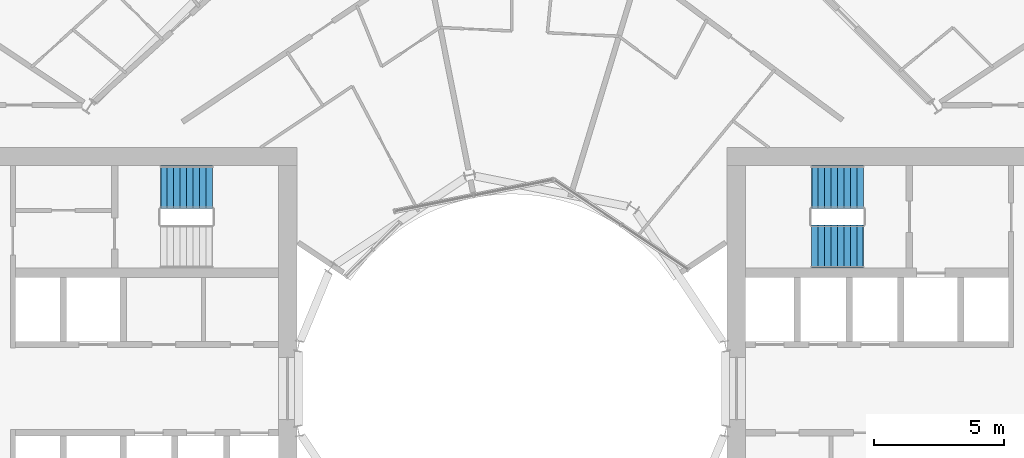
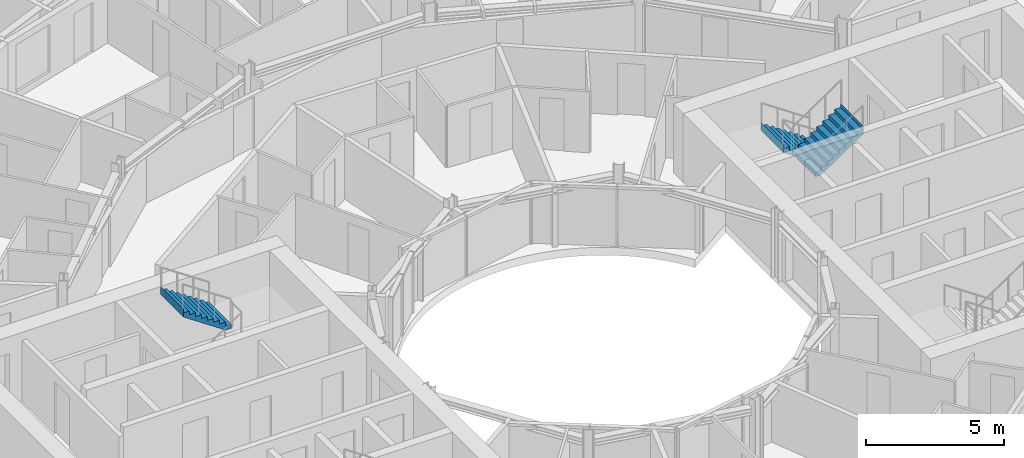
# One storey, part 25 of 26: 3 stair flights, 2 elements without a shape of their own.
"""IFC4 building model written with IfcOpenShell, lengths in metres."""

import ifcopenshell
import ifcopenshell.guid

model = None  # the IFC model being written
_history = None  # IfcOwnerHistory: only IFC2X3 demands one
_inside = {}  # id of a spatial element -> (the spatial element, [elements in it])
_under = {}  # id of a project, library or spatial element -> (it, [spatial elements below it])
_declared = {}  # id of a project -> (the project, [libraries it declares])
_typed = {}  # id of a type object -> (the type object, [elements of that type])
_made_of = {}  # id of a material, layer set ... -> (it, [elements and type objects made of it])


def new_model(schema):
    """Start an empty IFC model of exactly this schema.

    Asked for "IFC4X3", IfcOpenShell would pick the latest addendum, in which some entities
    have other attributes; the version numbers below select the first issue.
    IFC2X3 requires an IfcOwnerHistory on every rooted entity: one is made here for all.
    """
    global model, _history
    if schema == "IFC4X3":
        model = ifcopenshell.file(schema_version=(4, 3, 0, 0))
    else:
        model = ifcopenshell.file(schema=schema)
    _inside.clear()
    _under.clear()
    _declared.clear()
    _typed.clear()
    _made_of.clear()
    _history = None
    if model.schema == "IFC2X3":
        org = make("IfcOrganization", Name="unknown")
        user = make(
            "IfcPersonAndOrganization",
            ThePerson=make("IfcPerson", FamilyName="unknown"),
            TheOrganization=org,
        )
        app = make(
            "IfcApplication",
            ApplicationDeveloper=org,
            Version="unknown",
            ApplicationFullName="unknown",
            ApplicationIdentifier="unknown",
        )
        _history = make(
            "IfcOwnerHistory",
            OwningUser=user,
            OwningApplication=app,
            ChangeAction="ADDED",
            CreationDate=0,
        )
    return model


def make(cls, **values):
    """One entity of the class cls with the attributes given. An attribute that is None is left unset."""
    return model.create_entity(
        cls, **{name: value for name, value in values.items() if value is not None}
    )


def rooted(cls, **values):
    """An entity with a GlobalId (a new one), such as an element, a storey or a relation."""
    return make(cls, GlobalId=ifcopenshell.guid.new(), OwnerHistory=_history, **values)


def si_unit(unit_type, name, prefix=None):
    """IfcSIUnit, for example si_unit("LENGTHUNIT", "METRE", prefix="MILLI")."""
    return make("IfcSIUnit", UnitType=unit_type, Prefix=prefix, Name=name)


def assignment(units):
    """IfcUnitAssignment: the units of a project."""
    return None if units is None else make("IfcUnitAssignment", Units=units)


def point(xyz):
    """IfcCartesianPoint."""
    return None if xyz is None else make("IfcCartesianPoint", Coordinates=xyz)


def direction(xyz):
    """IfcDirection."""
    return None if xyz is None else make("IfcDirection", DirectionRatios=xyz)


def frame(location, z_axis=None, x_axis=None):
    """IfcAxis2Placement3D, a coordinate frame: its origin and axes. An axis left out is left unset."""
    return make(
        "IfcAxis2Placement3D",
        Location=point(location),
        Axis=direction(z_axis),
        RefDirection=direction(x_axis),
    )


def origin():
    """The frame at (0, 0, 0) with its axes left unset."""
    return frame((0.0, 0.0, 0.0))


def place(relative_to, where):
    """IfcLocalPlacement: puts the frame where relative to a parent placement (None: the world)."""
    return make(
        "IfcLocalPlacement", PlacementRelTo=relative_to, RelativePlacement=where
    )


def context(
    kind, dimensions, precision=None, world=None, true_north=None, identifier=None
):
    """IfcGeometricRepresentationContext, for example the 3D "Model" context."""
    return make(
        "IfcGeometricRepresentationContext",
        ContextIdentifier=identifier,
        ContextType=kind,
        CoordinateSpaceDimension=dimensions,
        Precision=precision,
        WorldCoordinateSystem=world,
        TrueNorth=true_north,
    )


def subcontext(parent, identifier, kind, view, scale=None):
    """IfcGeometricRepresentationSubContext, for example "Body" below "Model"."""
    return make(
        "IfcGeometricRepresentationSubContext",
        ContextIdentifier=identifier,
        ContextType=kind,
        ParentContext=parent,
        TargetScale=scale,
        TargetView=view,
    )


def project(units=None, contexts=None):
    """IfcProject with its units and contexts."""
    return rooted(
        "IfcProject",
        Name="project",
        RepresentationContexts=contexts,
        UnitsInContext=assignment(units),
    )


def spatial(cls, under=None, at=None, **own):
    """A site, building, storey or space (cls), placed at a placement, below another one or the project."""
    s = rooted(cls, ObjectPlacement=at, **own)
    if under is not None:
        _under.setdefault(under.id(), (under, []))[1].append(s)
    return s


def point_list(points):
    """IfcCartesianPointList2D or 3D."""
    cls = (
        "IfcCartesianPointList2D" if len(points[0]) == 2 else "IfcCartesianPointList3D"
    )
    return make(cls, CoordList=points)


def triangles(points, corners, closed=None, point_numbers=None):
    """IfcTriangulatedFaceSet: each triangle names its three corners, points numbered from 1."""
    return make(
        "IfcTriangulatedFaceSet",
        Coordinates=point_list(points),
        Closed=closed,
        CoordIndex=corners,
        PnIndex=point_numbers,
    )


def shape(context_of_items, identifier, shape_type, items):
    """IfcShapeRepresentation: the items that make up one representation, for example the "Body"."""
    return make(
        "IfcShapeRepresentation",
        ContextOfItems=context_of_items,
        RepresentationIdentifier=identifier,
        RepresentationType=shape_type,
        Items=items,
    )


def material(Name=None, Category=None):
    """IfcMaterial."""
    return make("IfcMaterial", Name=Name, Category=Category)


def made_of(thing, what):
    """Note that an element or type object is made of a material, layer set ...; save() writes the relation."""
    if what is not None:
        _made_of.setdefault(what.id(), (what, []))[1].append(thing)
    return thing


def type_object(cls, material=None, **own):
    """A type object (cls), such as IfcWallType, which elements share."""
    return made_of(rooted(cls, **own), material)


def element(
    cls,
    number,
    at=None,
    inside=None,
    cuts=None,
    type_object=None,
    material=None,
    context=None,
    identifier="Body",
    shape_type=None,
    held_by="IfcProductDefinitionShape",
    body=None,
    shapes=None,
    **own,
):
    """One element of the class cls, such as IfcWall. Its Tag is "e" and its number.

    at: its placement. inside: the storey or other place that contains it. cuts: it is an
    opening in that element (IfcRelVoidsElement). A single representation is given by context,
    identifier, shape_type and body (its items); several are given by shapes. held_by: the class
    of the entity that holds the representations. save() writes the other relations.
    """
    e = rooted(cls, Tag="e%d" % number, ObjectPlacement=at, **own)
    if body is not None:
        shapes = [shape(context, identifier, shape_type, body)]
    if shapes is not None:
        e.Representation = make(held_by, Representations=shapes)
    if inside is not None:
        _inside.setdefault(inside.id(), (inside, []))[1].append(e)
    if cuts is not None:
        rooted(
            "IfcRelVoidsElement", RelatingBuildingElement=cuts, RelatedOpeningElement=e
        )
    if type_object is not None:
        _typed.setdefault(type_object.id(), (type_object, []))[1].append(e)
    return made_of(e, material)


def aggregate(whole, parts):
    """IfcRelAggregates: a whole, such as a stair, and the parts it consists of."""
    return rooted("IfcRelAggregates", RelatingObject=whole, RelatedObjects=parts)


def save(model, path):
    """Write the relations noted so far, then the file.

    IfcRelAggregates (storeys below a building ...), IfcRelContainedInSpatialStructure (elements
    in a storey), IfcRelDefinesByType, IfcRelAssociatesMaterial and IfcRelDeclares: one each for
    every whole, place, type object, material and project.
    """
    for whole, parts in _under.values():
        aggregate(whole, parts)
    for where, things in _inside.values():
        rooted(
            "IfcRelContainedInSpatialStructure",
            RelatedElements=things,
            RelatingStructure=where,
        )
    for kind, things in _typed.values():
        rooted("IfcRelDefinesByType", RelatedObjects=things, RelatingType=kind)
    for what, things in _made_of.values():
        rooted("IfcRelAssociatesMaterial", RelatedObjects=things, RelatingMaterial=what)
    for by, libraries in _declared.values():
        rooted("IfcRelDeclares", RelatingContext=by, RelatedDefinitions=libraries)
    model.write(path)


model = new_model("IFC4")

# Units and contexts
model_context = context("Model", 3, precision=1e-05, world=origin(), true_north=direction((0.0, 1.0)))
body_context = subcontext(model_context, "Body", "Model", "MODEL_VIEW")
ifc_project = project(units=[si_unit("LENGTHUNIT", "METRE"), si_unit("AREAUNIT", "SQUARE_METRE"), si_unit("VOLUMEUNIT", "CUBIC_METRE"), si_unit("PLANEANGLEUNIT", "RADIAN"), si_unit("MASSUNIT", "GRAM", prefix="KILO")], contexts=[model_context])

# Site, building, storey
site_placement = place(None, origin())
site = spatial("IfcSite", under=ifc_project, at=site_placement, CompositionType="ELEMENT")
building_placement = place(site_placement, origin())
building = spatial("IfcBuilding", under=site, at=building_placement, Name="Maasbend Ring Residences", CompositionType="ELEMENT")
storey_placement = place(building_placement, frame((0.0, 0.0, 63.60009765625)))
storey = spatial("IfcBuildingStorey", under=building, at=storey_placement, Name="L17", CompositionType="ELEMENT", Elevation=63.60009765625)

# Stair, stair flights
ifc_material_1 = material(Name="Concrete C40/50", Category="concrete")
stair_type = type_object("IfcStairType", Name="CORE STAIR 18 RISERS", PredefinedType="HALF_TURN_STAIR", material=ifc_material_1)
stair_1_placement = place(storey_placement, origin())
stair_1 = element("IfcStair", 1, at=stair_1_placement, inside=storey, type_object=stair_type, Name="L17 Exit stair ST-E1", PredefinedType="HALF_TURN_STAIR")
ifc_material_2 = material(Name="Concrete C40/50", Category="concrete")
stair_flight_type = type_object("IfcStairFlightType", Name="CORE STAIR FLIGHT 1650", PredefinedType="STRAIGHT", material=ifc_material_2)
stair_flight_1_placement = place(storey_placement, frame((13.550048828125, 7.77490234375, 0.0), z_axis=(0.0, 0.0, 1.0), x_axis=(-1.0, 0.0, 0.0)))
stair_flight_1 = element("IfcStairFlight", 2, at=stair_flight_1_placement, type_object=stair_flight_type, Name="ST-E1 flight 1", NumberOfRisers=9, NumberOfTreads=8, PredefinedType="STRAIGHT", RiserHeight=0.169444444, TreadLength=0.25, context=body_context, shape_type="Tessellation", body=[
    triangles([(0.24072265625, 0.824951171875, -0.02001953125), (2.0029296875, 0.824951171875, 1.174560546875), (2.0029296875, 0.824951171875, 1.52490234375), (1.989990234375, 0.824951171875, 1.35546875), (1.75, 0.824951171875, 1.35546875), (1.75, 0.824951171875, 1.18603515625), (1.5, 0.824951171875, 1.18603515625), (1.5, 0.824951171875, 1.0166015625), (1.25, 0.824951171875, 1.0166015625), (1.25, 0.824951171875, 0.84716796875), (1.0, 0.824951171875, 0.84716796875), (1.0, 0.824951171875, 0.677734375), (0.75, 0.824951171875, 0.677734375), (0.75, 0.824951171875, 0.50830078125), (0.5, 0.824951171875, 0.50830078125), (0.5, 0.824951171875, 0.3388671875), (0.25, 0.824951171875, 0.3388671875), (0.25, 0.824951171875, 0.16943359375), (0.0, 0.824951171875, 0.16943359375), (0.0, 0.824951171875, 0.0), (-0.0029296875, 0.824951171875, 0.0), (-0.0029296875, 0.824951171875, -0.02001953125), (0.24072265625, 0.27490234375, -0.02001953125), (2.0029296875, 0.27490234375, 1.174560546875), (2.0029296875, 0.27490234375, 1.52490234375), (1.989990234375, 0.27490234375, 1.35546875), (1.75, 0.27490234375, 1.35546875), (1.75, 0.27490234375, 1.18603515625), (1.5, 0.27490234375, 1.18603515625), (1.5, 0.27490234375, 1.0166015625), (1.25, 0.27490234375, 1.0166015625), (1.25, 0.27490234375, 0.84716796875), (1.0, 0.27490234375, 0.84716796875), (1.0, 0.27490234375, 0.677734375), (0.75, 0.27490234375, 0.677734375), (0.75, 0.27490234375, 0.50830078125), (0.5, 0.27490234375, 0.50830078125), (0.5, 0.27490234375, 0.3388671875), (0.25, 0.27490234375, 0.3388671875), (0.25, 0.27490234375, 0.16943359375), (0.0, 0.27490234375, 0.16943359375), (0.0, 0.27490234375, 0.0), (-0.0029296875, 0.27490234375, 0.0), (-0.0029296875, 0.27490234375, -0.02001953125), (0.24072265625, -0.27490234375, -0.02001953125), (2.0029296875, -0.27490234375, 1.174560546875), (2.0029296875, -0.27490234375, 1.52490234375), (1.989990234375, -0.27490234375, 1.35546875), (1.75, -0.27490234375, 1.35546875), (1.75, -0.27490234375, 1.18603515625), (1.5, -0.27490234375, 1.18603515625), (1.5, -0.27490234375, 1.0166015625), (1.25, -0.27490234375, 1.0166015625), (1.25, -0.27490234375, 0.84716796875), (1.0, -0.27490234375, 0.84716796875), (1.0, -0.27490234375, 0.677734375), (0.75, -0.27490234375, 0.677734375), (0.75, -0.27490234375, 0.50830078125), (0.5, -0.27490234375, 0.50830078125), (0.5, -0.27490234375, 0.3388671875), (0.25, -0.27490234375, 0.3388671875), (0.25, -0.27490234375, 0.16943359375), (0.0, -0.27490234375, 0.16943359375), (0.0, -0.27490234375, 0.0), (-0.0029296875, -0.27490234375, 0.0), (-0.0029296875, -0.27490234375, -0.02001953125), (0.24072265625, -0.824951171875, -0.02001953125), (2.0029296875, -0.824951171875, 1.174560546875), (2.0029296875, -0.824951171875, 1.52490234375), (1.989990234375, -0.824951171875, 1.35546875), (1.75, -0.824951171875, 1.35546875), (1.75, -0.824951171875, 1.18603515625), (1.5, -0.824951171875, 1.18603515625), (1.5, -0.824951171875, 1.0166015625), (1.25, -0.824951171875, 1.0166015625), (1.25, -0.824951171875, 0.84716796875), (1.0, -0.824951171875, 0.84716796875), (1.0, -0.824951171875, 0.677734375), (0.75, -0.824951171875, 0.677734375), (0.75, -0.824951171875, 0.50830078125), (0.5, -0.824951171875, 0.50830078125), (0.5, -0.824951171875, 0.3388671875), (0.25, -0.824951171875, 0.3388671875), (0.25, -0.824951171875, 0.16943359375), (0.0, -0.824951171875, 0.16943359375), (0.0, -0.824951171875, 0.0), (-0.0029296875, -0.824951171875, 0.0), (-0.0029296875, -0.824951171875, -0.02001953125)], [[1, 2, 24], [1, 24, 23], [23, 24, 46], [23, 46, 45], [45, 46, 68], [45, 68, 67], [2, 3, 25], [2, 25, 24], [24, 25, 47], [24, 47, 46], [46, 47, 69], [46, 69, 68], [3, 4, 26], [3, 26, 25], [25, 26, 48], [25, 48, 47], [47, 48, 70], [47, 70, 69], [4, 5, 27], [4, 27, 26], [26, 27, 49], [26, 49, 48], [48, 49, 71], [48, 71, 70], [5, 6, 28], [5, 28, 27], [27, 28, 50], [27, 50, 49], [49, 50, 72], [49, 72, 71], [6, 7, 29], [6, 29, 28], [28, 29, 51], [28, 51, 50], [50, 51, 73], [50, 73, 72], [7, 8, 30], [7, 30, 29], [29, 30, 52], [29, 52, 51], [51, 52, 74], [51, 74, 73], [8, 9, 31], [8, 31, 30], [30, 31, 53], [30, 53, 52], [52, 53, 75], [52, 75, 74], [9, 10, 32], [9, 32, 31], [31, 32, 54], [31, 54, 53], [53, 54, 76], [53, 76, 75], [10, 11, 33], [10, 33, 32], [32, 33, 55], [32, 55, 54], [54, 55, 77], [54, 77, 76], [11, 12, 34], [11, 34, 33], [33, 34, 56], [33, 56, 55], [55, 56, 78], [55, 78, 77], [12, 13, 35], [12, 35, 34], [34, 35, 57], [34, 57, 56], [56, 57, 79], [56, 79, 78], [13, 14, 36], [13, 36, 35], [35, 36, 58], [35, 58, 57], [57, 58, 80], [57, 80, 79], [14, 15, 37], [14, 37, 36], [36, 37, 59], [36, 59, 58], [58, 59, 81], [58, 81, 80], [15, 16, 38], [15, 38, 37], [37, 38, 60], [37, 60, 59], [59, 60, 82], [59, 82, 81], [16, 17, 39], [16, 39, 38], [38, 39, 61], [38, 61, 60], [60, 61, 83], [60, 83, 82], [17, 18, 40], [17, 40, 39], [39, 40, 62], [39, 62, 61], [61, 62, 84], [61, 84, 83], [18, 19, 41], [18, 41, 40], [40, 41, 63], [40, 63, 62], [62, 63, 85], [62, 85, 84], [19, 20, 42], [19, 42, 41], [41, 42, 64], [41, 64, 63], [63, 64, 86], [63, 86, 85], [20, 21, 43], [20, 43, 42], [42, 43, 65], [42, 65, 64], [64, 65, 87], [64, 87, 86], [21, 22, 44], [21, 44, 43], [43, 44, 66], [43, 66, 65], [65, 66, 88], [65, 88, 87], [22, 1, 23], [22, 23, 44], [44, 23, 45], [44, 45, 66], [66, 45, 67], [66, 67, 88], [22, 2, 1], [2, 4, 3], [2, 5, 4], [2, 6, 5], [22, 6, 2], [6, 8, 7], [22, 8, 6], [8, 10, 9], [22, 10, 8], [10, 12, 11], [22, 12, 10], [12, 14, 13], [22, 14, 12], [14, 16, 15], [22, 16, 14], [16, 18, 17], [22, 18, 16], [18, 20, 19], [22, 20, 18], [20, 22, 21], [88, 67, 68], [68, 69, 70], [68, 70, 71], [68, 71, 72], [88, 68, 72], [72, 73, 74], [88, 72, 74], [74, 75, 76], [88, 74, 76], [76, 77, 78], [88, 76, 78], [78, 79, 80], [88, 78, 80], [80, 81, 82], [88, 80, 82], [82, 83, 84], [88, 82, 84], [84, 85, 86], [88, 84, 86], [86, 87, 88]], closed=True),
])
stair_flight_2_placement = place(storey_placement, frame((11.550048828125, 5.47509765625, 1.52490234375), z_axis=(0.0, 0.0, 1.0), x_axis=(1.0, 0.0, 0.0)))
stair_flight_2 = element("IfcStairFlight", 3, at=stair_flight_2_placement, type_object=stair_flight_type, Name="ST-E1 flight 2", NumberOfRisers=9, NumberOfTreads=8, PredefinedType="STRAIGHT", RiserHeight=0.169444444, TreadLength=0.25, context=body_context, shape_type="Tessellation", body=[
    triangles([(0.24072265625, 0.824951171875, -0.02001953125), (2.0029296875, 0.824951171875, 1.174560546875), (2.0029296875, 0.824951171875, 1.52490234375), (1.989990234375, 0.824951171875, 1.35546875), (1.75, 0.824951171875, 1.35546875), (1.75, 0.824951171875, 1.18603515625), (1.5, 0.824951171875, 1.18603515625), (1.5, 0.824951171875, 1.0166015625), (1.25, 0.824951171875, 1.0166015625), (1.25, 0.824951171875, 0.84716796875), (1.0, 0.824951171875, 0.84716796875), (1.0, 0.824951171875, 0.677734375), (0.75, 0.824951171875, 0.677734375), (0.75, 0.824951171875, 0.50830078125), (0.5, 0.824951171875, 0.50830078125), (0.5, 0.824951171875, 0.3388671875), (0.25, 0.824951171875, 0.3388671875), (0.25, 0.824951171875, 0.16943359375), (0.0, 0.824951171875, 0.16943359375), (0.0, 0.824951171875, 0.0), (-0.0029296875, 0.824951171875, 0.0), (-0.0029296875, 0.824951171875, -0.02001953125), (0.24072265625, 0.27490234375, -0.02001953125), (2.0029296875, 0.27490234375, 1.174560546875), (2.0029296875, 0.27490234375, 1.52490234375), (1.989990234375, 0.27490234375, 1.35546875), (1.75, 0.27490234375, 1.35546875), (1.75, 0.27490234375, 1.18603515625), (1.5, 0.27490234375, 1.18603515625), (1.5, 0.27490234375, 1.0166015625), (1.25, 0.27490234375, 1.0166015625), (1.25, 0.27490234375, 0.84716796875), (1.0, 0.27490234375, 0.84716796875), (1.0, 0.27490234375, 0.677734375), (0.75, 0.27490234375, 0.677734375), (0.75, 0.27490234375, 0.50830078125), (0.5, 0.27490234375, 0.50830078125), (0.5, 0.27490234375, 0.3388671875), (0.25, 0.27490234375, 0.3388671875), (0.25, 0.27490234375, 0.16943359375), (0.0, 0.27490234375, 0.16943359375), (0.0, 0.27490234375, 0.0), (-0.0029296875, 0.27490234375, 0.0), (-0.0029296875, 0.27490234375, -0.02001953125), (0.24072265625, -0.27490234375, -0.02001953125), (2.0029296875, -0.27490234375, 1.174560546875), (2.0029296875, -0.27490234375, 1.52490234375), (1.989990234375, -0.27490234375, 1.35546875), (1.75, -0.27490234375, 1.35546875), (1.75, -0.27490234375, 1.18603515625), (1.5, -0.27490234375, 1.18603515625), (1.5, -0.27490234375, 1.0166015625), (1.25, -0.27490234375, 1.0166015625), (1.25, -0.27490234375, 0.84716796875), (1.0, -0.27490234375, 0.84716796875), (1.0, -0.27490234375, 0.677734375), (0.75, -0.27490234375, 0.677734375), (0.75, -0.27490234375, 0.50830078125), (0.5, -0.27490234375, 0.50830078125), (0.5, -0.27490234375, 0.3388671875), (0.25, -0.27490234375, 0.3388671875), (0.25, -0.27490234375, 0.16943359375), (0.0, -0.27490234375, 0.16943359375), (0.0, -0.27490234375, 0.0), (-0.0029296875, -0.27490234375, 0.0), (-0.0029296875, -0.27490234375, -0.02001953125), (0.24072265625, -0.824951171875, -0.02001953125), (2.0029296875, -0.824951171875, 1.174560546875), (2.0029296875, -0.824951171875, 1.52490234375), (1.989990234375, -0.824951171875, 1.35546875), (1.75, -0.824951171875, 1.35546875), (1.75, -0.824951171875, 1.18603515625), (1.5, -0.824951171875, 1.18603515625), (1.5, -0.824951171875, 1.0166015625), (1.25, -0.824951171875, 1.0166015625), (1.25, -0.824951171875, 0.84716796875), (1.0, -0.824951171875, 0.84716796875), (1.0, -0.824951171875, 0.677734375), (0.75, -0.824951171875, 0.677734375), (0.75, -0.824951171875, 0.50830078125), (0.5, -0.824951171875, 0.50830078125), (0.5, -0.824951171875, 0.3388671875), (0.25, -0.824951171875, 0.3388671875), (0.25, -0.824951171875, 0.16943359375), (0.0, -0.824951171875, 0.16943359375), (0.0, -0.824951171875, 0.0), (-0.0029296875, -0.824951171875, 0.0), (-0.0029296875, -0.824951171875, -0.02001953125)], [[1, 2, 24], [1, 24, 23], [23, 24, 46], [23, 46, 45], [45, 46, 68], [45, 68, 67], [2, 3, 25], [2, 25, 24], [24, 25, 47], [24, 47, 46], [46, 47, 69], [46, 69, 68], [3, 4, 26], [3, 26, 25], [25, 26, 48], [25, 48, 47], [47, 48, 70], [47, 70, 69], [4, 5, 27], [4, 27, 26], [26, 27, 49], [26, 49, 48], [48, 49, 71], [48, 71, 70], [5, 6, 28], [5, 28, 27], [27, 28, 50], [27, 50, 49], [49, 50, 72], [49, 72, 71], [6, 7, 29], [6, 29, 28], [28, 29, 51], [28, 51, 50], [50, 51, 73], [50, 73, 72], [7, 8, 30], [7, 30, 29], [29, 30, 52], [29, 52, 51], [51, 52, 74], [51, 74, 73], [8, 9, 31], [8, 31, 30], [30, 31, 53], [30, 53, 52], [52, 53, 75], [52, 75, 74], [9, 10, 32], [9, 32, 31], [31, 32, 54], [31, 54, 53], [53, 54, 76], [53, 76, 75], [10, 11, 33], [10, 33, 32], [32, 33, 55], [32, 55, 54], [54, 55, 77], [54, 77, 76], [11, 12, 34], [11, 34, 33], [33, 34, 56], [33, 56, 55], [55, 56, 78], [55, 78, 77], [12, 13, 35], [12, 35, 34], [34, 35, 57], [34, 57, 56], [56, 57, 79], [56, 79, 78], [13, 14, 36], [13, 36, 35], [35, 36, 58], [35, 58, 57], [57, 58, 80], [57, 80, 79], [14, 15, 37], [14, 37, 36], [36, 37, 59], [36, 59, 58], [58, 59, 81], [58, 81, 80], [15, 16, 38], [15, 38, 37], [37, 38, 60], [37, 60, 59], [59, 60, 82], [59, 82, 81], [16, 17, 39], [16, 39, 38], [38, 39, 61], [38, 61, 60], [60, 61, 83], [60, 83, 82], [17, 18, 40], [17, 40, 39], [39, 40, 62], [39, 62, 61], [61, 62, 84], [61, 84, 83], [18, 19, 41], [18, 41, 40], [40, 41, 63], [40, 63, 62], [62, 63, 85], [62, 85, 84], [19, 20, 42], [19, 42, 41], [41, 42, 64], [41, 64, 63], [63, 64, 86], [63, 86, 85], [20, 21, 43], [20, 43, 42], [42, 43, 65], [42, 65, 64], [64, 65, 87], [64, 87, 86], [21, 22, 44], [21, 44, 43], [43, 44, 66], [43, 66, 65], [65, 66, 88], [65, 88, 87], [22, 1, 23], [22, 23, 44], [44, 23, 45], [44, 45, 66], [66, 45, 67], [66, 67, 88], [22, 2, 1], [2, 4, 3], [2, 5, 4], [2, 6, 5], [22, 6, 2], [6, 8, 7], [22, 8, 6], [8, 10, 9], [22, 10, 8], [10, 12, 11], [22, 12, 10], [12, 14, 13], [22, 14, 12], [14, 16, 15], [22, 16, 14], [16, 18, 17], [22, 18, 16], [18, 20, 19], [22, 20, 18], [20, 22, 21], [88, 67, 68], [68, 69, 70], [68, 70, 71], [68, 71, 72], [88, 68, 72], [72, 73, 74], [88, 72, 74], [74, 75, 76], [88, 74, 76], [76, 77, 78], [88, 76, 78], [78, 79, 80], [88, 78, 80], [80, 81, 82], [88, 80, 82], [82, 83, 84], [88, 82, 84], [84, 85, 86], [88, 84, 86], [86, 87, 88]], closed=True),
])
aggregate(stair_1, [stair_flight_1, stair_flight_2])

# Stair, stair flight
stair_2_placement = place(storey_placement, origin())
stair_2 = element("IfcStair", 4, at=stair_2_placement, inside=storey, type_object=stair_type, Name="L17 Exit stair ST-W2", PredefinedType="HALF_TURN_STAIR")
stair_flight_3_placement = place(storey_placement, frame((-11.550048828125, 7.77490234375, 1.52490234375), z_axis=(0.0, 0.0, 1.0), x_axis=(-1.0, 0.0, 0.0)))
stair_flight_3 = element("IfcStairFlight", 5, at=stair_flight_3_placement, type_object=stair_flight_type, Name="ST-W2 flight 2", NumberOfRisers=9, NumberOfTreads=8, PredefinedType="STRAIGHT", RiserHeight=0.169444444, TreadLength=0.25, context=body_context, shape_type="Tessellation", body=[
    triangles([(0.24072265625, 0.824951171875, -0.02001953125), (2.0029296875, 0.824951171875, 1.174560546875), (2.0029296875, 0.824951171875, 1.52490234375), (1.989990234375, 0.824951171875, 1.35546875), (1.75, 0.824951171875, 1.35546875), (1.75, 0.824951171875, 1.18603515625), (1.5, 0.824951171875, 1.18603515625), (1.5, 0.824951171875, 1.0166015625), (1.25, 0.824951171875, 1.0166015625), (1.25, 0.824951171875, 0.84716796875), (1.0, 0.824951171875, 0.84716796875), (1.0, 0.824951171875, 0.677734375), (0.75, 0.824951171875, 0.677734375), (0.75, 0.824951171875, 0.50830078125), (0.5, 0.824951171875, 0.50830078125), (0.5, 0.824951171875, 0.3388671875), (0.25, 0.824951171875, 0.3388671875), (0.25, 0.824951171875, 0.16943359375), (0.0, 0.824951171875, 0.16943359375), (0.0, 0.824951171875, 0.0), (-0.0029296875, 0.824951171875, 0.0), (-0.0029296875, 0.824951171875, -0.02001953125), (0.24072265625, 0.27490234375, -0.02001953125), (2.0029296875, 0.27490234375, 1.174560546875), (2.0029296875, 0.27490234375, 1.52490234375), (1.989990234375, 0.27490234375, 1.35546875), (1.75, 0.27490234375, 1.35546875), (1.75, 0.27490234375, 1.18603515625), (1.5, 0.27490234375, 1.18603515625), (1.5, 0.27490234375, 1.0166015625), (1.25, 0.27490234375, 1.0166015625), (1.25, 0.27490234375, 0.84716796875), (1.0, 0.27490234375, 0.84716796875), (1.0, 0.27490234375, 0.677734375), (0.75, 0.27490234375, 0.677734375), (0.75, 0.27490234375, 0.50830078125), (0.5, 0.27490234375, 0.50830078125), (0.5, 0.27490234375, 0.3388671875), (0.25, 0.27490234375, 0.3388671875), (0.25, 0.27490234375, 0.16943359375), (0.0, 0.27490234375, 0.16943359375), (0.0, 0.27490234375, 0.0), (-0.0029296875, 0.27490234375, 0.0), (-0.0029296875, 0.27490234375, -0.02001953125), (0.24072265625, -0.27490234375, -0.02001953125), (2.0029296875, -0.27490234375, 1.174560546875), (2.0029296875, -0.27490234375, 1.52490234375), (1.989990234375, -0.27490234375, 1.35546875), (1.75, -0.27490234375, 1.35546875), (1.75, -0.27490234375, 1.18603515625), (1.5, -0.27490234375, 1.18603515625), (1.5, -0.27490234375, 1.0166015625), (1.25, -0.27490234375, 1.0166015625), (1.25, -0.27490234375, 0.84716796875), (1.0, -0.27490234375, 0.84716796875), (1.0, -0.27490234375, 0.677734375), (0.75, -0.27490234375, 0.677734375), (0.75, -0.27490234375, 0.50830078125), (0.5, -0.27490234375, 0.50830078125), (0.5, -0.27490234375, 0.3388671875), (0.25, -0.27490234375, 0.3388671875), (0.25, -0.27490234375, 0.16943359375), (0.0, -0.27490234375, 0.16943359375), (0.0, -0.27490234375, 0.0), (-0.0029296875, -0.27490234375, 0.0), (-0.0029296875, -0.27490234375, -0.02001953125), (0.24072265625, -0.824951171875, -0.02001953125), (2.0029296875, -0.824951171875, 1.174560546875), (2.0029296875, -0.824951171875, 1.52490234375), (1.989990234375, -0.824951171875, 1.35546875), (1.75, -0.824951171875, 1.35546875), (1.75, -0.824951171875, 1.18603515625), (1.5, -0.824951171875, 1.18603515625), (1.5, -0.824951171875, 1.0166015625), (1.25, -0.824951171875, 1.0166015625), (1.25, -0.824951171875, 0.84716796875), (1.0, -0.824951171875, 0.84716796875), (1.0, -0.824951171875, 0.677734375), (0.75, -0.824951171875, 0.677734375), (0.75, -0.824951171875, 0.50830078125), (0.5, -0.824951171875, 0.50830078125), (0.5, -0.824951171875, 0.3388671875), (0.25, -0.824951171875, 0.3388671875), (0.25, -0.824951171875, 0.16943359375), (0.0, -0.824951171875, 0.16943359375), (0.0, -0.824951171875, 0.0), (-0.0029296875, -0.824951171875, 0.0), (-0.0029296875, -0.824951171875, -0.02001953125)], [[1, 2, 24], [1, 24, 23], [23, 24, 46], [23, 46, 45], [45, 46, 68], [45, 68, 67], [2, 3, 25], [2, 25, 24], [24, 25, 47], [24, 47, 46], [46, 47, 69], [46, 69, 68], [3, 4, 26], [3, 26, 25], [25, 26, 48], [25, 48, 47], [47, 48, 70], [47, 70, 69], [4, 5, 27], [4, 27, 26], [26, 27, 49], [26, 49, 48], [48, 49, 71], [48, 71, 70], [5, 6, 28], [5, 28, 27], [27, 28, 50], [27, 50, 49], [49, 50, 72], [49, 72, 71], [6, 7, 29], [6, 29, 28], [28, 29, 51], [28, 51, 50], [50, 51, 73], [50, 73, 72], [7, 8, 30], [7, 30, 29], [29, 30, 52], [29, 52, 51], [51, 52, 74], [51, 74, 73], [8, 9, 31], [8, 31, 30], [30, 31, 53], [30, 53, 52], [52, 53, 75], [52, 75, 74], [9, 10, 32], [9, 32, 31], [31, 32, 54], [31, 54, 53], [53, 54, 76], [53, 76, 75], [10, 11, 33], [10, 33, 32], [32, 33, 55], [32, 55, 54], [54, 55, 77], [54, 77, 76], [11, 12, 34], [11, 34, 33], [33, 34, 56], [33, 56, 55], [55, 56, 78], [55, 78, 77], [12, 13, 35], [12, 35, 34], [34, 35, 57], [34, 57, 56], [56, 57, 79], [56, 79, 78], [13, 14, 36], [13, 36, 35], [35, 36, 58], [35, 58, 57], [57, 58, 80], [57, 80, 79], [14, 15, 37], [14, 37, 36], [36, 37, 59], [36, 59, 58], [58, 59, 81], [58, 81, 80], [15, 16, 38], [15, 38, 37], [37, 38, 60], [37, 60, 59], [59, 60, 82], [59, 82, 81], [16, 17, 39], [16, 39, 38], [38, 39, 61], [38, 61, 60], [60, 61, 83], [60, 83, 82], [17, 18, 40], [17, 40, 39], [39, 40, 62], [39, 62, 61], [61, 62, 84], [61, 84, 83], [18, 19, 41], [18, 41, 40], [40, 41, 63], [40, 63, 62], [62, 63, 85], [62, 85, 84], [19, 20, 42], [19, 42, 41], [41, 42, 64], [41, 64, 63], [63, 64, 86], [63, 86, 85], [20, 21, 43], [20, 43, 42], [42, 43, 65], [42, 65, 64], [64, 65, 87], [64, 87, 86], [21, 22, 44], [21, 44, 43], [43, 44, 66], [43, 66, 65], [65, 66, 88], [65, 88, 87], [22, 1, 23], [22, 23, 44], [44, 23, 45], [44, 45, 66], [66, 45, 67], [66, 67, 88], [22, 2, 1], [2, 4, 3], [2, 5, 4], [2, 6, 5], [22, 6, 2], [6, 8, 7], [22, 8, 6], [8, 10, 9], [22, 10, 8], [10, 12, 11], [22, 12, 10], [12, 14, 13], [22, 14, 12], [14, 16, 15], [22, 16, 14], [16, 18, 17], [22, 18, 16], [18, 20, 19], [22, 20, 18], [20, 22, 21], [88, 67, 68], [68, 69, 70], [68, 70, 71], [68, 71, 72], [88, 68, 72], [72, 73, 74], [88, 72, 74], [74, 75, 76], [88, 74, 76], [76, 77, 78], [88, 76, 78], [78, 79, 80], [88, 78, 80], [80, 81, 82], [88, 80, 82], [82, 83, 84], [88, 82, 84], [84, 85, 86], [88, 84, 86], [86, 87, 88]], closed=True),
])
aggregate(stair_2, [stair_flight_3])

save(model, "model.ifc")
